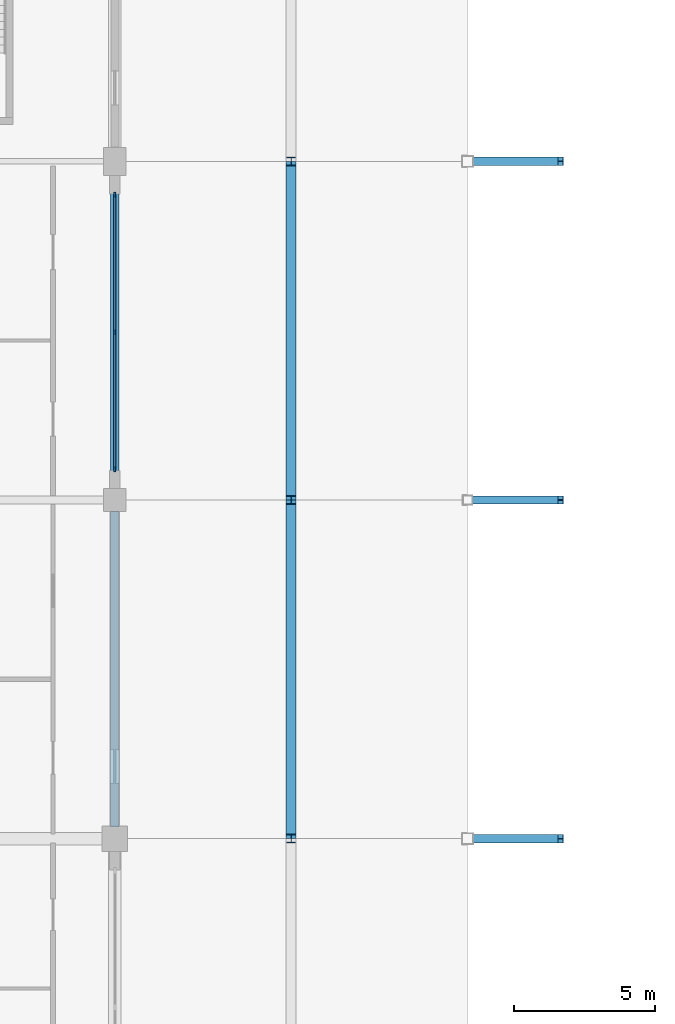
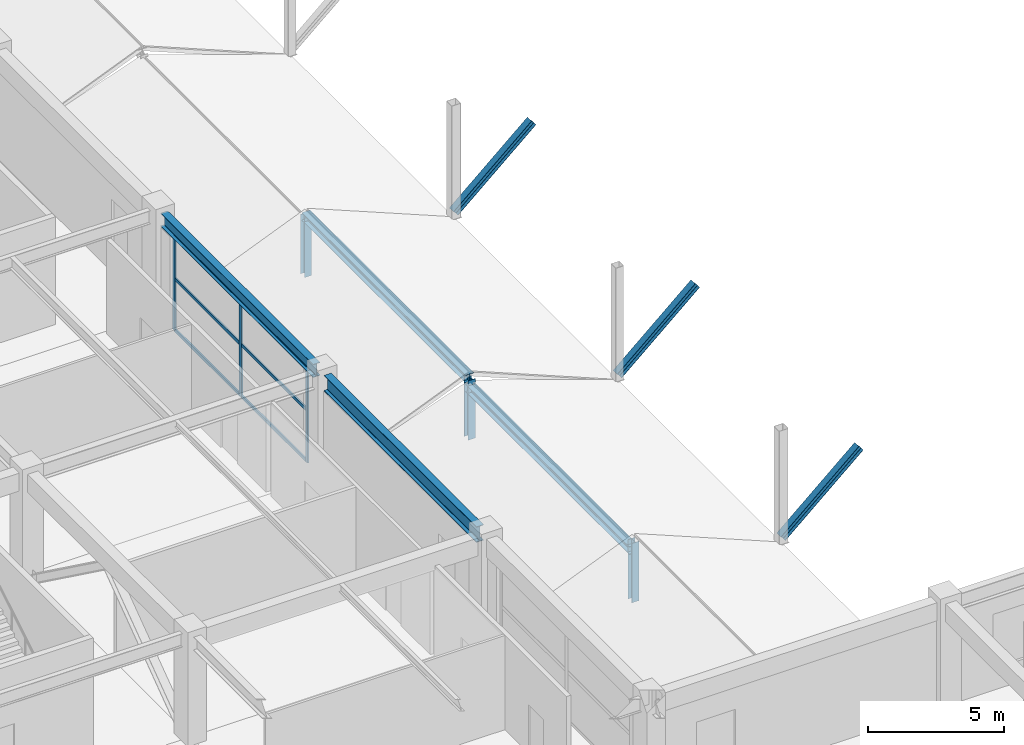
# One storey, part 17 of 116: 17 members, 2 beams, 1 element without a shape of its own.
"""IFC4 building model written with IfcOpenShell, lengths in metres."""

from ifc_helpers import new_model, si_unit, direction, frame, origin, origin_2d, place, context, subcontext, project, spatial, rectangle, i_section, extrude, material, layer, layer_set, material_profile, profile_set, type_object, element, aggregate, save


model = new_model("IFC4")

# Units and contexts
model_context = context("Model", 3, precision=1e-05, world=origin(), true_north=direction((0.0, 1.0)))
body_context = subcontext(model_context, "Body", "Model", "MODEL_VIEW")
ifc_project = project(units=[si_unit("LENGTHUNIT", "METRE"), si_unit("AREAUNIT", "SQUARE_METRE"), si_unit("VOLUMEUNIT", "CUBIC_METRE"), si_unit("PLANEANGLEUNIT", "RADIAN"), si_unit("MASSUNIT", "GRAM", prefix="KILO")], contexts=[model_context])

# Site, building, storey
site_placement = place(None, origin())
site = spatial("IfcSite", under=ifc_project, at=site_placement, CompositionType="ELEMENT")
building_placement = place(site_placement, origin())
building = spatial("IfcBuilding", under=site, at=building_placement, Name="Kazenohara Klinker Stadium", CompositionType="ELEMENT")
storey_placement = place(building_placement, frame((0.0, 0.0, 10.199951171875)))
storey = spatial("IfcBuildingStorey", under=building, at=storey_placement, Name="L02", CompositionType="ELEMENT", Elevation=10.199951171875)

# Beams
ifc_material_1 = material(Name="Steel S355", Category="steel")
ifc_material_profile_1 = material_profile(ifc_material_1, i_section(OverallWidth=0.300048828125, OverallDepth=0.699951171875, WebThickness=0.012939453125, FlangeThickness=0.02392578125, FilletRadius=0.02197265625, at=origin_2d()), Name="H-700x300x13x24")
ifc_profile_set_1 = profile_set([ifc_material_profile_1], Name="Steel S355")
beam_type_1 = type_object("IfcBeamType", Name="BM-ST03", PredefinedType="BEAM", material=ifc_profile_set_1)
beam_1_placement = place(storey_placement, frame((36.5, 48.419921875, 4.469970703125), z_axis=(0.0, 1.0, 0.0), x_axis=(-1.0, 0.0, 0.0)))
element("IfcBeam", 1, at=beam_1_placement, inside=storey, type_object=beam_type_1, Name="Primary girder SB03 L02 4/E-F", PredefinedType="BEAM", context=body_context, shape_type="SweptSolid", body=[
    extrude(i_section(OverallWidth=0.300048828125, OverallDepth=0.699951171875, WebThickness=0.012939453125, FlangeThickness=0.02392578125, FilletRadius=0.02197265625, at=origin_2d()), origin(), (0.0, 0.0, 1.0), 11.18017578125),
])
ifc_material_profile_2 = material_profile(ifc_material_1, i_section(OverallWidth=0.300048828125, OverallDepth=0.587890625, WebThickness=0.011962890625, FlangeThickness=0.02001953125, FilletRadius=0.02197265625, at=origin_2d()), Name="H-588x300x12x20")
ifc_profile_set_2 = profile_set([ifc_material_profile_2], Name="Steel S355")
beam_type_2 = type_object("IfcBeamType", Name="BM-ST05", PredefinedType="BEAM", material=ifc_profile_set_2)
beam_2_placement = place(storey_placement, frame((36.5, 60.39990234375, 4.526123046875), z_axis=(0.0, 1.0, 0.0), x_axis=(-1.0, 0.0, 0.0)))
element("IfcBeam", 2, at=beam_2_placement, inside=storey, type_object=beam_type_2, Name="Primary girder SB05 L02 4/F-G", PredefinedType="BEAM", context=body_context, shape_type="SweptSolid", body=[
    extrude(i_section(OverallWidth=0.300048828125, OverallDepth=0.587890625, WebThickness=0.011962890625, FlangeThickness=0.02001953125, FilletRadius=0.02197265625, at=origin_2d()), origin(), (0.0, 0.0, 1.0), 11.18017578125),
])

# Curtain wall, members
ifc_material_2 = material(Name="Anodised aluminium and triple glazing", Category="aluminium")
ifc_layer = layer(ifc_material_2, 0.179931640625)
ifc_layer_set = layer_set([ifc_layer], Name="Anodised aluminium and triple glazing")
curtain_wall_type = type_object("IfcCurtainWallType", Name="CW-SYS-02", PredefinedType="USERDEFINED", material=ifc_layer_set)
curtain_wall_placement = place(storey_placement, origin())
curtain_wall = element("IfcCurtainWall", 3, at=curtain_wall_placement, inside=storey, type_object=curtain_wall_type, Name="Unitised facade curtain wall CW02 L02 Y3-5", ObjectType="UNITISED CURTAIN WALL", PredefinedType="USERDEFINED")
ifc_material_3 = material(Name="Anodised aluminium 6063-T6", Category="aluminium")
ifc_material_profile_3 = material_profile(ifc_material_3, rectangle(XDim=0.06494140625, YDim=0.179931640625, at=origin_2d()), Name="ALU-MUL-65x180")
ifc_profile_set_3 = profile_set([ifc_material_profile_3], Name="Anodised aluminium 6063-T6")
member_type_1 = type_object("IfcMemberType", Name="CW-MUL-180", PredefinedType="MULLION", material=ifc_profile_set_3)
member_1_placement = place(storey_placement, frame((36.5, 61.08642578125, 0.0), z_axis=(0.0, 0.0, 1.0), x_axis=(-1.0, 0.0, 0.0)))
member_1 = element("IfcMember", 4, at=member_1_placement, type_object=member_type_1, Name="CW02 mullion 1", PredefinedType="MULLION", context=body_context, shape_type="SweptSolid", body=[
    extrude(rectangle(XDim=0.06494140625, YDim=0.179931640625, at=origin_2d()), origin(), (0.0, 0.0, 1.0), 4.23193359375),
])
member_2_placement = place(storey_placement, frame((36.5, 65.949951171875, 0.0), z_axis=(0.0, 0.0, 1.0), x_axis=(-1.0, 0.0, 0.0)))
member_2 = element("IfcMember", 5, at=member_2_placement, type_object=member_type_1, Name="CW02 mullion 2", PredefinedType="MULLION", context=body_context, shape_type="SweptSolid", body=[
    extrude(rectangle(XDim=0.06494140625, YDim=0.179931640625, at=origin_2d()), origin(), (0.0, 0.0, 1.0), 4.23193359375),
])
member_3_placement = place(storey_placement, frame((36.5, 70.8134765625, 0.0), z_axis=(0.0, 0.0, 1.0), x_axis=(-1.0, 0.0, 0.0)))
member_3 = element("IfcMember", 6, at=member_3_placement, type_object=member_type_1, Name="CW02 mullion 3", PredefinedType="MULLION", context=body_context, shape_type="SweptSolid", body=[
    extrude(rectangle(XDim=0.06494140625, YDim=0.179931640625, at=origin_2d()), origin(), (0.0, 0.0, 1.0), 4.23193359375),
])
ifc_material_profile_4 = material_profile(ifc_material_3, rectangle(XDim=0.06494140625, YDim=0.139892578125, at=origin_2d()), Name="ALU-TRN-65x140")
ifc_profile_set_4 = profile_set([ifc_material_profile_4], Name="Anodised aluminium 6063-T6")
member_type_2 = type_object("IfcMemberType", Name="CW-TRN-140", PredefinedType="USERDEFINED", material=ifc_profile_set_4)
member_4_placement = place(storey_placement, frame((36.5, 61.118896484375, 0.032470703125), z_axis=(0.0, 1.0, 0.0), x_axis=(-1.0, 0.0, 0.0)))
member_4 = element("IfcMember", 7, at=member_4_placement, type_object=member_type_2, Name="CW02 transom 1.1", ObjectType="TRANSOM", PredefinedType="USERDEFINED", context=body_context, shape_type="SweptSolid", body=[
    extrude(rectangle(XDim=0.06494140625, YDim=0.139892578125, at=origin_2d()), origin(), (0.0, 0.0, 1.0), 4.798583984375),
])
member_5_placement = place(storey_placement, frame((36.5, 61.118896484375, 2.32763671875), z_axis=(0.0, 1.0, 0.0), x_axis=(-1.0, 0.0, 0.0)))
member_5 = element("IfcMember", 8, at=member_5_placement, type_object=member_type_2, Name="CW02 transom 1.2", ObjectType="TRANSOM", PredefinedType="USERDEFINED", context=body_context, shape_type="SweptSolid", body=[
    extrude(rectangle(XDim=0.06494140625, YDim=0.139892578125, at=origin_2d()), origin(), (0.0, 0.0, 1.0), 4.798583984375),
])
member_6_placement = place(storey_placement, frame((36.5, 61.118896484375, 4.199462890625), z_axis=(0.0, 1.0, 0.0), x_axis=(-1.0, 0.0, 0.0)))
member_6 = element("IfcMember", 9, at=member_6_placement, type_object=member_type_2, Name="CW02 transom 1.3", ObjectType="TRANSOM", PredefinedType="USERDEFINED", context=body_context, shape_type="SweptSolid", body=[
    extrude(rectangle(XDim=0.06494140625, YDim=0.139892578125, at=origin_2d()), origin(), (0.0, 0.0, 1.0), 4.798583984375),
])
member_7_placement = place(storey_placement, frame((36.5, 65.982421875, 0.032470703125), z_axis=(0.0, 1.0, 0.0), x_axis=(-1.0, 0.0, 0.0)))
member_7 = element("IfcMember", 10, at=member_7_placement, type_object=member_type_2, Name="CW02 transom 2.1", ObjectType="TRANSOM", PredefinedType="USERDEFINED", context=body_context, shape_type="SweptSolid", body=[
    extrude(rectangle(XDim=0.06494140625, YDim=0.139892578125, at=origin_2d()), origin(), (0.0, 0.0, 1.0), 4.798583984375),
])
member_8_placement = place(storey_placement, frame((36.5, 65.982421875, 2.32763671875), z_axis=(0.0, 1.0, 0.0), x_axis=(-1.0, 0.0, 0.0)))
member_8 = element("IfcMember", 11, at=member_8_placement, type_object=member_type_2, Name="CW02 transom 2.2", ObjectType="TRANSOM", PredefinedType="USERDEFINED", context=body_context, shape_type="SweptSolid", body=[
    extrude(rectangle(XDim=0.06494140625, YDim=0.139892578125, at=origin_2d()), origin(), (0.0, 0.0, 1.0), 4.798583984375),
])
member_9_placement = place(storey_placement, frame((36.5, 65.982421875, 4.199462890625), z_axis=(0.0, 1.0, 0.0), x_axis=(-1.0, 0.0, 0.0)))
member_9 = element("IfcMember", 12, at=member_9_placement, type_object=member_type_2, Name="CW02 transom 2.3", ObjectType="TRANSOM", PredefinedType="USERDEFINED", context=body_context, shape_type="SweptSolid", body=[
    extrude(rectangle(XDim=0.06494140625, YDim=0.139892578125, at=origin_2d()), origin(), (0.0, 0.0, 1.0), 4.798583984375),
])
aggregate(curtain_wall, [member_1, member_2, member_3, member_4, member_5, member_6, member_7, member_8, member_9])

# Members
ifc_material_profile_5 = material_profile(ifc_material_1, i_section(OverallWidth=0.300048828125, OverallDepth=0.300048828125, WebThickness=0.010009765625, FlangeThickness=0.014892578125, FilletRadius=0.012939453125, at=origin_2d()), Name="H-300x300x10x15")
ifc_profile_set_5 = profile_set([ifc_material_profile_5], Name="Steel S355")
member_type_3 = type_object("IfcMemberType", Name="MEM-BRC01", PredefinedType="BRACE", material=ifc_profile_set_5)
for number, where, z_axis, x_axis, name in (
    (13, (49.0, 48.0, 0.199951171875), (0.750987889423, 0.0, 0.660315977347), (0.0, 1.0, 0.0), "Upper bowl raking bracket strut BR01 West E"),
    (14, (49.0, 60.0, 0.199951171875), (0.750987889423, 0.0, 0.660315977347), (0.0, 1.0, 0.0), "Upper bowl raking bracket strut BR01 West F"),
    (15, (49.0, 72.0, 0.199951171875), (0.750987889423, 0.0, 0.660315977347), (0.0, 1.0, 0.0), "Upper bowl raking bracket strut BR01 West G"),
):
    element("IfcMember", number, at=place(storey_placement, frame(where, z_axis=z_axis, x_axis=x_axis)), inside=storey, type_object=member_type_3, Name=name, PredefinedType="BRACE", context=body_context, shape_type="SweptSolid", body=[
        extrude(i_section(OverallWidth=0.300048828125, OverallDepth=0.300048828125, WebThickness=0.010009765625, FlangeThickness=0.014892578125, FilletRadius=0.012939453125, at=origin_2d()), origin(), (0.0, 0.0, 1.0), 4.394287109375),
    ])
ifc_material_profile_6 = material_profile(ifc_material_1, i_section(OverallWidth=0.35009765625, OverallDepth=0.35009765625, WebThickness=0.011962890625, FlangeThickness=0.01904296875, FilletRadius=0.012939453125, at=origin_2d()), Name="H-350x350x12x19")
ifc_profile_set_6 = profile_set([ifc_material_profile_6], Name="Steel S355")
member_type_4 = type_object("IfcMemberType", Name="MEM-CHD02", PredefinedType="CHORD", material=ifc_profile_set_6)
for number, where, z_axis, x_axis, name in (
    (16, (42.75, 48.0, 1.830078125), (0.0, 1.0, 0.0), (-1.0, 0.0, 0.0), "Stepped pavilion gable ridge beam L02 4/E"),
    (17, (42.75, 60.0, 2.22998046875), (0.0, 1.0, 0.0), (-1.0, 0.0, 0.0), "Stepped pavilion gable ridge beam L02 4/F"),
):
    element("IfcMember", number, at=place(storey_placement, frame(where, z_axis=z_axis, x_axis=x_axis)), inside=storey, type_object=member_type_4, Name=name, PredefinedType="CHORD", context=body_context, shape_type="SweptSolid", body=[
        extrude(i_section(OverallWidth=0.35009765625, OverallDepth=0.35009765625, WebThickness=0.011962890625, FlangeThickness=0.01904296875, FilletRadius=0.012939453125, at=origin_2d()), origin(), (0.0, 0.0, 1.0), 12.0),
    ])
ifc_material_profile_7 = material_profile(ifc_material_1, i_section(OverallWidth=0.300048828125, OverallDepth=0.300048828125, WebThickness=0.010009765625, FlangeThickness=0.014892578125, FilletRadius=0.012939453125, at=origin_2d()), Name="H-300x300x10x15")
ifc_profile_set_7 = profile_set([ifc_material_profile_7], Name="Steel S355")
member_type_5 = type_object("IfcMemberType", Name="MEM-STR01", PredefinedType="STRUT", material=ifc_profile_set_7)
for number, where, z_axis, x_axis, name in (
    (18, (42.75, 48.0, -0.429931640625), (0.0, 0.0, 1.0), (1.0, 0.0, 0.0), "Stepped pavilion gable king-post L02 4/D N"),
    (19, (42.75, 60.0, -0.429931640625), (0.0, 0.0, 1.0), (1.0, 0.0, 0.0), "Stepped pavilion gable king-post L02 4/F S"),
    (20, (42.75, 72.0, -0.429931640625), (0.0, 0.0, 1.0), (1.0, 0.0, 0.0), "Stepped pavilion gable king-post L02 4/F N"),
):
    element("IfcMember", number, at=place(storey_placement, frame(where, z_axis=z_axis, x_axis=x_axis)), inside=storey, type_object=member_type_5, Name=name, PredefinedType="STRUT", context=body_context, shape_type="SweptSolid", body=[
        extrude(i_section(OverallWidth=0.300048828125, OverallDepth=0.300048828125, WebThickness=0.010009765625, FlangeThickness=0.014892578125, FilletRadius=0.012939453125, at=origin_2d()), origin(), (0.0, 0.0, 1.0), 2.659912109375),
    ])

save(model, "model.ifc")
